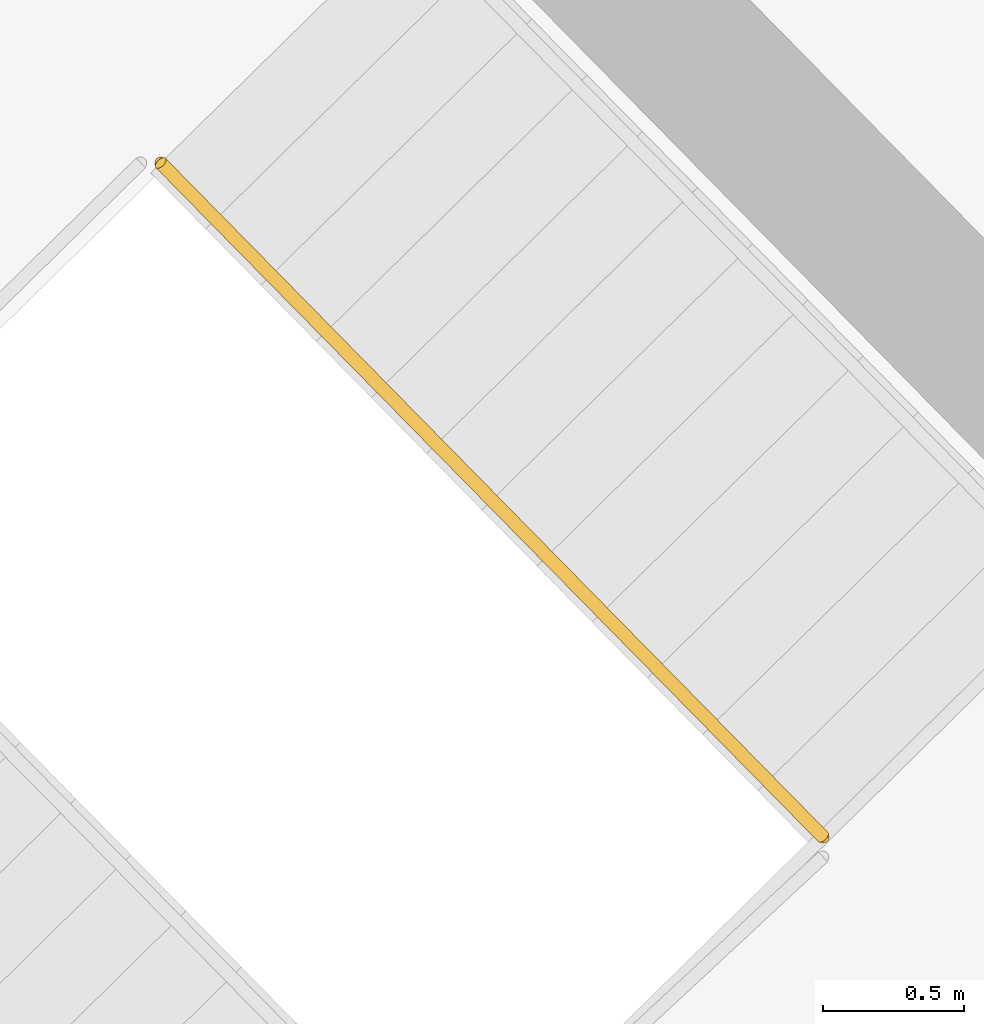
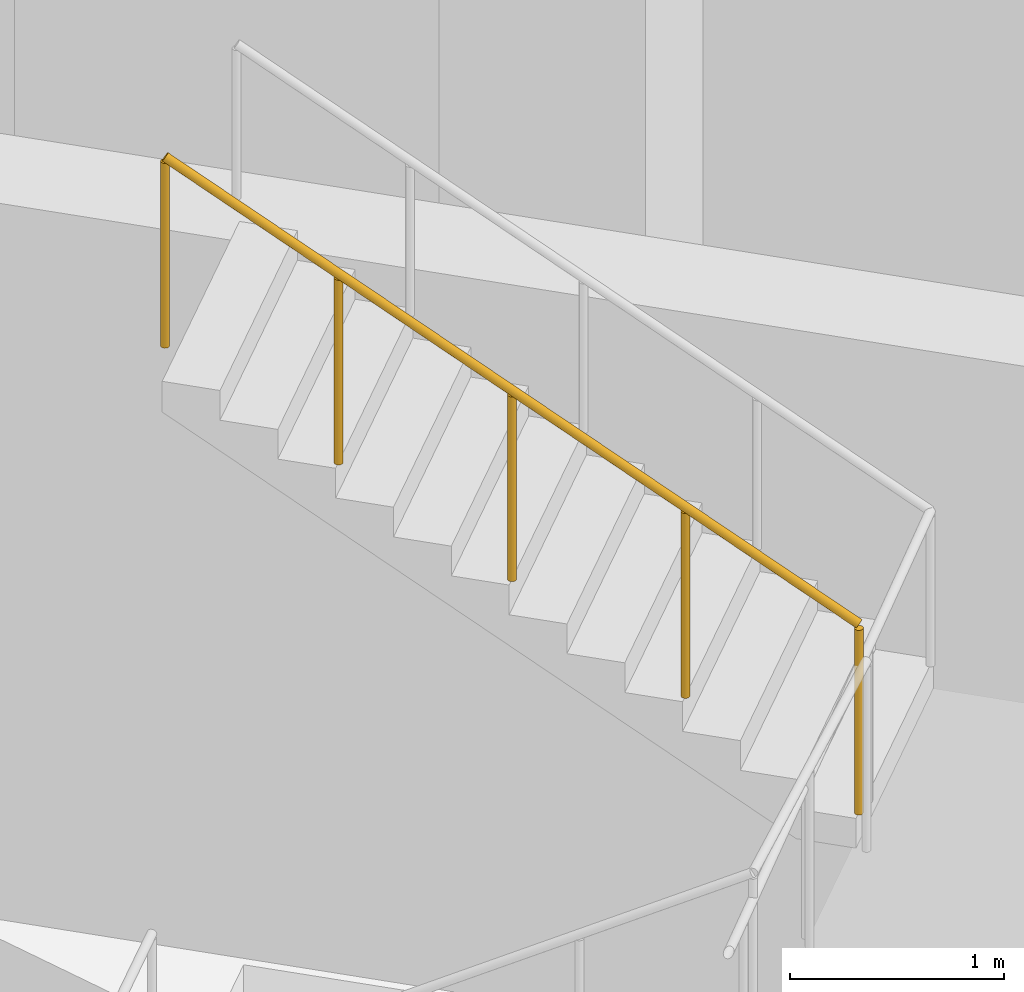
# One storey, part 10 of 10: 1 railing.
"""IFC4 building model written with IfcOpenShell, lengths in metres."""

import ifcopenshell
import ifcopenshell.guid

model = None  # the IFC model being written
_history = None  # IfcOwnerHistory: only IFC2X3 demands one
_inside = {}  # id of a spatial element -> (the spatial element, [elements in it])
_under = {}  # id of a project, library or spatial element -> (it, [spatial elements below it])
_declared = {}  # id of a project -> (the project, [libraries it declares])
_typed = {}  # id of a type object -> (the type object, [elements of that type])
_made_of = {}  # id of a material, layer set ... -> (it, [elements and type objects made of it])


def new_model(schema):
    """Start an empty IFC model of exactly this schema.

    Asked for "IFC4X3", IfcOpenShell would pick the latest addendum, in which some entities
    have other attributes; the version numbers below select the first issue.
    IFC2X3 requires an IfcOwnerHistory on every rooted entity: one is made here for all.
    """
    global model, _history
    if schema == "IFC4X3":
        model = ifcopenshell.file(schema_version=(4, 3, 0, 0))
    else:
        model = ifcopenshell.file(schema=schema)
    _inside.clear()
    _under.clear()
    _declared.clear()
    _typed.clear()
    _made_of.clear()
    _history = None
    if model.schema == "IFC2X3":
        org = make("IfcOrganization", Name="unknown")
        user = make(
            "IfcPersonAndOrganization",
            ThePerson=make("IfcPerson", FamilyName="unknown"),
            TheOrganization=org,
        )
        app = make(
            "IfcApplication",
            ApplicationDeveloper=org,
            Version="unknown",
            ApplicationFullName="unknown",
            ApplicationIdentifier="unknown",
        )
        _history = make(
            "IfcOwnerHistory",
            OwningUser=user,
            OwningApplication=app,
            ChangeAction="ADDED",
            CreationDate=0,
        )
    return model


def make(cls, **values):
    """One entity of the class cls with the attributes given. An attribute that is None is left unset."""
    return model.create_entity(
        cls, **{name: value for name, value in values.items() if value is not None}
    )


def rooted(cls, **values):
    """An entity with a GlobalId (a new one), such as an element, a storey or a relation."""
    return make(cls, GlobalId=ifcopenshell.guid.new(), OwnerHistory=_history, **values)


def si_unit(unit_type, name, prefix=None):
    """IfcSIUnit, for example si_unit("LENGTHUNIT", "METRE", prefix="MILLI")."""
    return make("IfcSIUnit", UnitType=unit_type, Prefix=prefix, Name=name)


def assignment(units):
    """IfcUnitAssignment: the units of a project."""
    return None if units is None else make("IfcUnitAssignment", Units=units)


def point(xyz):
    """IfcCartesianPoint."""
    return None if xyz is None else make("IfcCartesianPoint", Coordinates=xyz)


def direction(xyz):
    """IfcDirection."""
    return None if xyz is None else make("IfcDirection", DirectionRatios=xyz)


def frame(location, z_axis=None, x_axis=None):
    """IfcAxis2Placement3D, a coordinate frame: its origin and axes. An axis left out is left unset."""
    return make(
        "IfcAxis2Placement3D",
        Location=point(location),
        Axis=direction(z_axis),
        RefDirection=direction(x_axis),
    )


def frame_2d(location, x_axis=None):
    """IfcAxis2Placement2D, a coordinate frame in the plane: its origin and x axis."""
    return make(
        "IfcAxis2Placement2D", Location=point(location), RefDirection=direction(x_axis)
    )


def origin():
    """The frame at (0, 0, 0) with its axes left unset."""
    return frame((0.0, 0.0, 0.0))


def origin_2d():
    """The frame at (0, 0) in the plane with its x axis left unset."""
    return frame_2d((0.0, 0.0))


def place(relative_to, where):
    """IfcLocalPlacement: puts the frame where relative to a parent placement (None: the world)."""
    return make(
        "IfcLocalPlacement", PlacementRelTo=relative_to, RelativePlacement=where
    )


def context(
    kind, dimensions, precision=None, world=None, true_north=None, identifier=None
):
    """IfcGeometricRepresentationContext, for example the 3D "Model" context."""
    return make(
        "IfcGeometricRepresentationContext",
        ContextIdentifier=identifier,
        ContextType=kind,
        CoordinateSpaceDimension=dimensions,
        Precision=precision,
        WorldCoordinateSystem=world,
        TrueNorth=true_north,
    )


def subcontext(parent, identifier, kind, view, scale=None):
    """IfcGeometricRepresentationSubContext, for example "Body" below "Model"."""
    return make(
        "IfcGeometricRepresentationSubContext",
        ContextIdentifier=identifier,
        ContextType=kind,
        ParentContext=parent,
        TargetScale=scale,
        TargetView=view,
    )


def project(units=None, contexts=None):
    """IfcProject with its units and contexts."""
    return rooted(
        "IfcProject",
        Name="project",
        RepresentationContexts=contexts,
        UnitsInContext=assignment(units),
    )


def spatial(cls, under=None, at=None, **own):
    """A site, building, storey or space (cls), placed at a placement, below another one or the project."""
    s = rooted(cls, ObjectPlacement=at, **own)
    if under is not None:
        _under.setdefault(under.id(), (under, []))[1].append(s)
    return s


def profile(cls, at=None, kind="AREA", **sizes):
    """A parametric profile (cls). Its sizes go by their IFC names, for example OverallWidth=200.0."""
    return make(cls, ProfileType=kind, Position=at, **sizes)


def circle(**sizes):
    """IfcCircleProfileDef."""
    return profile("IfcCircleProfileDef", **sizes)


def extrude(swept, where, along, depth):
    """IfcExtrudedAreaSolid: the profile swept, set in the frame where, extruded along a direction by depth."""
    return make(
        "IfcExtrudedAreaSolid",
        SweptArea=swept,
        Position=where,
        ExtrudedDirection=direction(along),
        Depth=depth,
    )


def shape(context_of_items, identifier, shape_type, items):
    """IfcShapeRepresentation: the items that make up one representation, for example the "Body"."""
    return make(
        "IfcShapeRepresentation",
        ContextOfItems=context_of_items,
        RepresentationIdentifier=identifier,
        RepresentationType=shape_type,
        Items=items,
    )


def material(Name=None, Category=None):
    """IfcMaterial."""
    return make("IfcMaterial", Name=Name, Category=Category)


def made_of(thing, what):
    """Note that an element or type object is made of a material, layer set ...; save() writes the relation."""
    if what is not None:
        _made_of.setdefault(what.id(), (what, []))[1].append(thing)
    return thing


def type_object(cls, material=None, **own):
    """A type object (cls), such as IfcWallType, which elements share."""
    return made_of(rooted(cls, **own), material)


def element(
    cls,
    number,
    at=None,
    inside=None,
    cuts=None,
    type_object=None,
    material=None,
    context=None,
    identifier="Body",
    shape_type=None,
    held_by="IfcProductDefinitionShape",
    body=None,
    shapes=None,
    **own,
):
    """One element of the class cls, such as IfcWall. Its Tag is "e" and its number.

    at: its placement. inside: the storey or other place that contains it. cuts: it is an
    opening in that element (IfcRelVoidsElement). A single representation is given by context,
    identifier, shape_type and body (its items); several are given by shapes. held_by: the class
    of the entity that holds the representations. save() writes the other relations.
    """
    e = rooted(cls, Tag="e%d" % number, ObjectPlacement=at, **own)
    if body is not None:
        shapes = [shape(context, identifier, shape_type, body)]
    if shapes is not None:
        e.Representation = make(held_by, Representations=shapes)
    if inside is not None:
        _inside.setdefault(inside.id(), (inside, []))[1].append(e)
    if cuts is not None:
        rooted(
            "IfcRelVoidsElement", RelatingBuildingElement=cuts, RelatedOpeningElement=e
        )
    if type_object is not None:
        _typed.setdefault(type_object.id(), (type_object, []))[1].append(e)
    return made_of(e, material)


def aggregate(whole, parts):
    """IfcRelAggregates: a whole, such as a stair, and the parts it consists of."""
    return rooted("IfcRelAggregates", RelatingObject=whole, RelatedObjects=parts)


def save(model, path):
    """Write the relations noted so far, then the file.

    IfcRelAggregates (storeys below a building ...), IfcRelContainedInSpatialStructure (elements
    in a storey), IfcRelDefinesByType, IfcRelAssociatesMaterial and IfcRelDeclares: one each for
    every whole, place, type object, material and project.
    """
    for whole, parts in _under.values():
        aggregate(whole, parts)
    for where, things in _inside.values():
        rooted(
            "IfcRelContainedInSpatialStructure",
            RelatedElements=things,
            RelatingStructure=where,
        )
    for kind, things in _typed.values():
        rooted("IfcRelDefinesByType", RelatedObjects=things, RelatingType=kind)
    for what, things in _made_of.values():
        rooted("IfcRelAssociatesMaterial", RelatedObjects=things, RelatingMaterial=what)
    for by, libraries in _declared.values():
        rooted("IfcRelDeclares", RelatingContext=by, RelatedDefinitions=libraries)
    model.write(path)


model = new_model("IFC4")

# Units and contexts
model_context = context("Model", 3, precision=1e-05, world=origin(), true_north=direction((0.0, 1.0)))
body_context = subcontext(model_context, "Body", "Model", "MODEL_VIEW")
ifc_project = project(units=[si_unit("LENGTHUNIT", "METRE"), si_unit("AREAUNIT", "SQUARE_METRE"), si_unit("VOLUMEUNIT", "CUBIC_METRE"), si_unit("PLANEANGLEUNIT", "RADIAN"), si_unit("MASSUNIT", "GRAM", prefix="KILO")], contexts=[model_context])

# Site, building, storey
site_placement = place(None, origin())
site = spatial("IfcSite", under=ifc_project, at=site_placement, CompositionType="ELEMENT")
building_placement = place(site_placement, origin())
building = spatial("IfcBuilding", under=site, at=building_placement, Name="Binnacle Exchange Tower", CompositionType="ELEMENT")
storey_placement = place(building_placement, frame((0.0, 0.0, 119.10009765625)))
storey = spatial("IfcBuildingStorey", under=building, at=storey_placement, Name="L24", CompositionType="ELEMENT", Elevation=119.10009765625)

# Railing
ifc_material = material(Name="Steel guard rail", Category="steel")
railing_type = type_object("IfcRailingType", Name="STAIR GUARD 1100", PredefinedType="GUARDRAIL", material=ifc_material)
railing_placement = place(storey_placement, frame((44.4970703125, 45.947021484375, 2.369140625)))
element("IfcRailing", 1, at=railing_placement, inside=storey, type_object=railing_type, Name="L24 STB1 stair guard 2", PredefinedType="GUARDRAIL", context=body_context, shape_type="SweptSolid", body=[
    extrude(circle(Radius=0.02392578125, at=origin_2d()), frame((0.0, 0.0, 1.076171875), z_axis=(-0.599850224077, 0.610421915772, 0.51726665601), x_axis=(-0.713256128111, -0.700903485305, 0.0)), (0.0, 0.0, 1.0), 3.926025390625),
    extrude(circle(Radius=0.02099609375, at=origin_2d()), origin(), (0.0, 0.0, 1.0), 1.052001953125),
    extrude(circle(Radius=0.02099609375, at=origin_2d()), frame((-0.5888671875, 0.59912109375, 0.5078125)), (0.0, 0.0, 1.0), 1.052001953125),
    extrude(circle(Radius=0.02099609375, at=origin_2d()), frame((-1.177490234375, 1.1982421875, 1.015380859375)), (0.0, 0.0, 1.0), 1.052001953125),
    extrude(circle(Radius=0.02099609375, at=origin_2d()), frame((-1.76611328125, 1.79736328125, 1.52294921875)), (0.0, 0.0, 1.0), 1.052001953125),
    extrude(circle(Radius=0.02099609375, at=origin_2d()), frame((-2.35498046875, 2.396484375, 2.03076171875)), (0.0, 0.0, 1.0), 1.052001953125),
])

save(model, "model.ifc")
